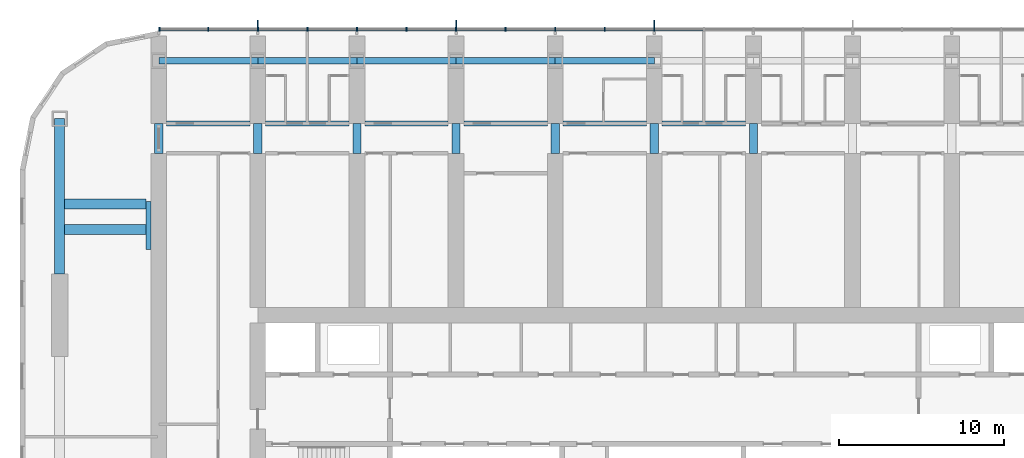
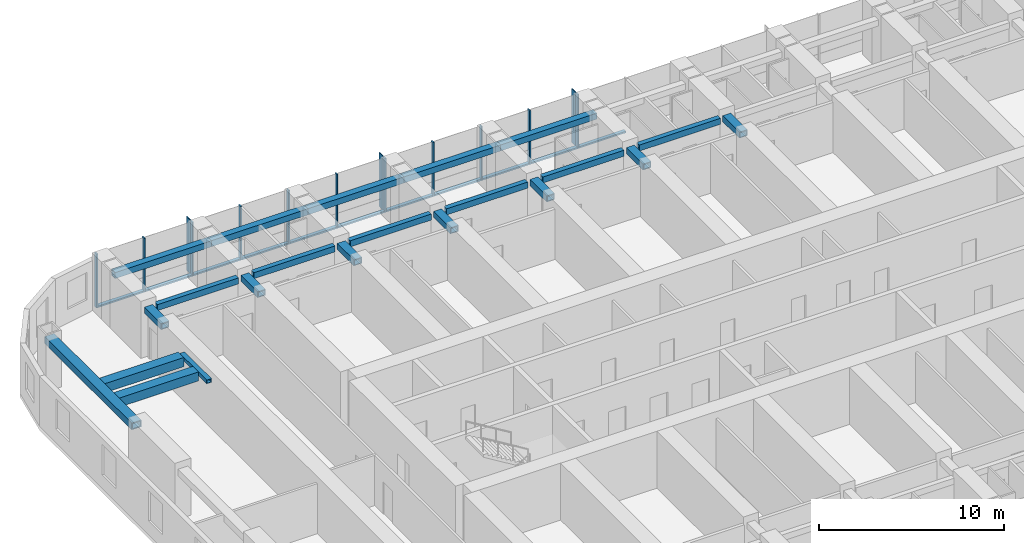
# One storey, part 4 of 21: 25 members, 22 beams, 1 element without a shape of its own.
"""IFC4 building model written with IfcOpenShell, lengths in metres."""

from ifc_helpers import new_model, si_unit, direction, frame, origin, origin_2d, place, context, subcontext, project, spatial, rectangle, hollow_rectangle, extrude, material, material_profile, profile_set, type_object, element, aggregate, save


model = new_model("IFC4")

# Units and contexts
model_context = context("Model", 3, precision=1e-05, world=origin(), true_north=direction((0.0, 1.0)))
body_context = subcontext(model_context, "Body", "Model", "MODEL_VIEW")
ifc_project = project(units=[si_unit("LENGTHUNIT", "METRE"), si_unit("AREAUNIT", "SQUARE_METRE"), si_unit("VOLUMEUNIT", "CUBIC_METRE"), si_unit("PLANEANGLEUNIT", "RADIAN"), si_unit("MASSUNIT", "GRAM", prefix="KILO")], contexts=[model_context])

# Site, building, storey
site_placement = place(None, origin())
site = spatial("IfcSite", under=ifc_project, at=site_placement, CompositionType="ELEMENT")
building_placement = place(site_placement, origin())
building = spatial("IfcBuilding", under=site, at=building_placement, Name="Orbita Commons", CompositionType="ELEMENT")
storey_placement = place(building_placement, frame((0.0, 0.0, 110.64990234375)))
storey = spatial("IfcBuildingStorey", under=building, at=storey_placement, Name="L27", CompositionType="ELEMENT", Elevation=110.64990234375)

# Curtain wall, members
ifc_material_1 = material(Name="Anodised aluminium frame, pale silver", Category="aluminium")
curtain_wall_type = type_object("IfcCurtainWallType", Name="Unitised curtain wall CW-T, vision and spandrel", PredefinedType="NOTDEFINED", material=ifc_material_1)
curtain_wall_placement = place(storey_placement, origin())
curtain_wall = element("IfcCurtainWall", 1, at=curtain_wall_placement, inside=storey, type_object=curtain_wall_type, Name="Curtain wall north L27", PredefinedType="NOTDEFINED")
ifc_material_2 = material(Name="Anodised aluminium, pale silver", Category="aluminium")
ifc_material_profile_1 = material_profile(ifc_material_2, rectangle(XDim=0.080078125, YDim=0.219970703125, at=origin_2d()), Name="AL 80x220")
ifc_profile_set_1 = profile_set([ifc_material_profile_1], Name="Anodised aluminium, pale silver")
member_type_1 = type_object("IfcMemberType", Name="Curtain wall mullion 80x220", PredefinedType="MULLION", material=ifc_profile_set_1)
member_1_placement = place(storey_placement, frame((42.0, 55.510009765625, -0.25), z_axis=(0.0, 0.0, 1.0), x_axis=(-1.0, 0.0, 0.0)))
member_1 = element("IfcMember", 2, at=member_1_placement, type_object=member_type_1, Name="Mullion 9 CW-L27-N", PredefinedType="MULLION", context=body_context, shape_type="SweptSolid", body=[
    extrude(rectangle(XDim=0.080078125, YDim=0.219970703125, at=origin_2d()), origin(), (0.0, 0.0, 1.0), 3.550048828125),
])
member_2_placement = place(storey_placement, frame((39.0, 55.510009765625, -0.25), z_axis=(0.0, 0.0, 1.0), x_axis=(-1.0, 0.0, 0.0)))
member_2 = element("IfcMember", 3, at=member_2_placement, type_object=member_type_1, Name="Mullion 10 CW-L27-N", PredefinedType="MULLION", context=body_context, shape_type="SweptSolid", body=[
    extrude(rectangle(XDim=0.080078125, YDim=0.219970703125, at=origin_2d()), origin(), (0.0, 0.0, 1.0), 3.550048828125),
])
member_3_placement = place(storey_placement, frame((36.0, 55.510009765625, -0.25), z_axis=(0.0, 0.0, 1.0), x_axis=(-1.0, 0.0, 0.0)))
member_3 = element("IfcMember", 4, at=member_3_placement, type_object=member_type_1, Name="Mullion 11 CW-L27-N", PredefinedType="MULLION", context=body_context, shape_type="SweptSolid", body=[
    extrude(rectangle(XDim=0.080078125, YDim=0.219970703125, at=origin_2d()), origin(), (0.0, 0.0, 1.0), 3.550048828125),
])
member_4_placement = place(storey_placement, frame((33.0, 55.510009765625, -0.25), z_axis=(0.0, 0.0, 1.0), x_axis=(-1.0, 0.0, 0.0)))
member_4 = element("IfcMember", 5, at=member_4_placement, type_object=member_type_1, Name="Mullion 12 CW-L27-N", PredefinedType="MULLION", context=body_context, shape_type="SweptSolid", body=[
    extrude(rectangle(XDim=0.080078125, YDim=0.219970703125, at=origin_2d()), origin(), (0.0, 0.0, 1.0), 3.550048828125),
])
member_5_placement = place(storey_placement, frame((30.0, 55.510009765625, -0.25), z_axis=(0.0, 0.0, 1.0), x_axis=(-1.0, 0.0, 0.0)))
member_5 = element("IfcMember", 6, at=member_5_placement, type_object=member_type_1, Name="Mullion 13 CW-L27-N", PredefinedType="MULLION", context=body_context, shape_type="SweptSolid", body=[
    extrude(rectangle(XDim=0.080078125, YDim=0.219970703125, at=origin_2d()), origin(), (0.0, 0.0, 1.0), 3.550048828125),
])
member_6_placement = place(storey_placement, frame((27.0, 55.510009765625, -0.25), z_axis=(0.0, 0.0, 1.0), x_axis=(-1.0, 0.0, 0.0)))
member_6 = element("IfcMember", 7, at=member_6_placement, type_object=member_type_1, Name="Mullion 14 CW-L27-N", PredefinedType="MULLION", context=body_context, shape_type="SweptSolid", body=[
    extrude(rectangle(XDim=0.080078125, YDim=0.219970703125, at=origin_2d()), origin(), (0.0, 0.0, 1.0), 3.550048828125),
])
member_7_placement = place(storey_placement, frame((24.0, 55.510009765625, -0.25), z_axis=(0.0, 0.0, 1.0), x_axis=(-1.0, 0.0, 0.0)))
member_7 = element("IfcMember", 8, at=member_7_placement, type_object=member_type_1, Name="Mullion 15 CW-L27-N", PredefinedType="MULLION", context=body_context, shape_type="SweptSolid", body=[
    extrude(rectangle(XDim=0.080078125, YDim=0.219970703125, at=origin_2d()), origin(), (0.0, 0.0, 1.0), 3.550048828125),
])
member_8_placement = place(storey_placement, frame((21.0, 55.510009765625, -0.25), z_axis=(0.0, 0.0, 1.0), x_axis=(-1.0, 0.0, 0.0)))
member_8 = element("IfcMember", 9, at=member_8_placement, type_object=member_type_1, Name="Mullion 16 CW-L27-N", PredefinedType="MULLION", context=body_context, shape_type="SweptSolid", body=[
    extrude(rectangle(XDim=0.080078125, YDim=0.219970703125, at=origin_2d()), origin(), (0.0, 0.0, 1.0), 3.550048828125),
])
member_9_placement = place(storey_placement, frame((18.0, 55.510009765625, -0.25), z_axis=(0.0, 0.0, 1.0), x_axis=(-1.0, 0.0, 0.0)))
member_9 = element("IfcMember", 10, at=member_9_placement, type_object=member_type_1, Name="Mullion 17 CW-L27-N", PredefinedType="MULLION", context=body_context, shape_type="SweptSolid", body=[
    extrude(rectangle(XDim=0.080078125, YDim=0.219970703125, at=origin_2d()), origin(), (0.0, 0.0, 1.0), 3.550048828125),
])
member_10_placement = place(storey_placement, frame((15.0, 55.510009765625, -0.25), z_axis=(0.0, 0.0, 1.0), x_axis=(-1.0, 0.0, 0.0)))
member_10 = element("IfcMember", 11, at=member_10_placement, type_object=member_type_1, Name="Mullion 18 CW-L27-N", PredefinedType="MULLION", context=body_context, shape_type="SweptSolid", body=[
    extrude(rectangle(XDim=0.080078125, YDim=0.219970703125, at=origin_2d()), origin(), (0.0, 0.0, 1.0), 3.550048828125),
])
member_11_placement = place(storey_placement, frame((12.0400390625, 55.510009765625, -0.25), z_axis=(0.0, 0.0, 1.0), x_axis=(-1.0, 0.0, 0.0)))
member_11 = element("IfcMember", 12, at=member_11_placement, type_object=member_type_1, Name="Mullion 19 CW-L27-N", PredefinedType="MULLION", context=body_context, shape_type="SweptSolid", body=[
    extrude(rectangle(XDim=0.080078125, YDim=0.219970703125, at=origin_2d()), origin(), (0.0, 0.0, 1.0), 3.550048828125),
])
ifc_material_3 = material(Name="Anodised aluminium, pale silver", Category="aluminium")
ifc_material_profile_2 = material_profile(ifc_material_3, rectangle(XDim=0.219970703125, YDim=0.10009765625, at=origin_2d()), Name="AL 220x100")
ifc_profile_set_2 = profile_set([ifc_material_profile_2], Name="Anodised aluminium, pale silver")
member_type_2 = type_object("IfcMemberType", Name="Curtain wall stack transom 220x100", PredefinedType="USERDEFINED", material=ifc_profile_set_2)
member_12_placement = place(storey_placement, frame((44.9599609375, 55.510009765625, -0.199951171875), z_axis=(-1.0, 0.0, 0.0), x_axis=(0.0, -1.0, 0.0)))
member_12 = element("IfcMember", 13, at=member_12_placement, type_object=member_type_2, Name="Transom 8.1 CW-L27-N", ObjectType="TRANSOM", PredefinedType="USERDEFINED", context=body_context, shape_type="SweptSolid", body=[
    extrude(rectangle(XDim=0.219970703125, YDim=0.10009765625, at=origin_2d()), origin(), (0.0, 0.0, 1.0), 2.919921875),
])
member_13_placement = place(storey_placement, frame((41.9599609375, 55.510009765625, -0.199951171875), z_axis=(-1.0, 0.0, 0.0), x_axis=(0.0, -1.0, 0.0)))
member_13 = element("IfcMember", 14, at=member_13_placement, type_object=member_type_2, Name="Transom 9.1 CW-L27-N", ObjectType="TRANSOM", PredefinedType="USERDEFINED", context=body_context, shape_type="SweptSolid", body=[
    extrude(rectangle(XDim=0.219970703125, YDim=0.10009765625, at=origin_2d()), origin(), (0.0, 0.0, 1.0), 2.919921875),
])
member_14_placement = place(storey_placement, frame((38.9599609375, 55.510009765625, -0.199951171875), z_axis=(-1.0, 0.0, 0.0), x_axis=(0.0, -1.0, 0.0)))
member_14 = element("IfcMember", 15, at=member_14_placement, type_object=member_type_2, Name="Transom 10.1 CW-L27-N", ObjectType="TRANSOM", PredefinedType="USERDEFINED", context=body_context, shape_type="SweptSolid", body=[
    extrude(rectangle(XDim=0.219970703125, YDim=0.10009765625, at=origin_2d()), origin(), (0.0, 0.0, 1.0), 2.919921875),
])
member_15_placement = place(storey_placement, frame((35.9599609375, 55.510009765625, -0.199951171875), z_axis=(-1.0, 0.0, 0.0), x_axis=(0.0, -1.0, 0.0)))
member_15 = element("IfcMember", 16, at=member_15_placement, type_object=member_type_2, Name="Transom 11.1 CW-L27-N", ObjectType="TRANSOM", PredefinedType="USERDEFINED", context=body_context, shape_type="SweptSolid", body=[
    extrude(rectangle(XDim=0.219970703125, YDim=0.10009765625, at=origin_2d()), origin(), (0.0, 0.0, 1.0), 2.919921875),
])
member_16_placement = place(storey_placement, frame((32.9599609375, 55.510009765625, -0.199951171875), z_axis=(-1.0, 0.0, 0.0), x_axis=(0.0, -1.0, 0.0)))
member_16 = element("IfcMember", 17, at=member_16_placement, type_object=member_type_2, Name="Transom 12.1 CW-L27-N", ObjectType="TRANSOM", PredefinedType="USERDEFINED", context=body_context, shape_type="SweptSolid", body=[
    extrude(rectangle(XDim=0.219970703125, YDim=0.10009765625, at=origin_2d()), origin(), (0.0, 0.0, 1.0), 2.919921875),
])
member_17_placement = place(storey_placement, frame((29.9599609375, 55.510009765625, -0.199951171875), z_axis=(-1.0, 0.0, 0.0), x_axis=(0.0, -1.0, 0.0)))
member_17 = element("IfcMember", 18, at=member_17_placement, type_object=member_type_2, Name="Transom 13.1 CW-L27-N", ObjectType="TRANSOM", PredefinedType="USERDEFINED", context=body_context, shape_type="SweptSolid", body=[
    extrude(rectangle(XDim=0.219970703125, YDim=0.10009765625, at=origin_2d()), origin(), (0.0, 0.0, 1.0), 2.919921875),
])
member_18_placement = place(storey_placement, frame((26.9599609375, 55.510009765625, -0.199951171875), z_axis=(-1.0, 0.0, 0.0), x_axis=(0.0, -1.0, 0.0)))
member_18 = element("IfcMember", 19, at=member_18_placement, type_object=member_type_2, Name="Transom 14.1 CW-L27-N", ObjectType="TRANSOM", PredefinedType="USERDEFINED", context=body_context, shape_type="SweptSolid", body=[
    extrude(rectangle(XDim=0.219970703125, YDim=0.10009765625, at=origin_2d()), origin(), (0.0, 0.0, 1.0), 2.919921875),
])
member_19_placement = place(storey_placement, frame((23.9599609375, 55.510009765625, -0.199951171875), z_axis=(-1.0, 0.0, 0.0), x_axis=(0.0, -1.0, 0.0)))
member_19 = element("IfcMember", 20, at=member_19_placement, type_object=member_type_2, Name="Transom 15.1 CW-L27-N", ObjectType="TRANSOM", PredefinedType="USERDEFINED", context=body_context, shape_type="SweptSolid", body=[
    extrude(rectangle(XDim=0.219970703125, YDim=0.10009765625, at=origin_2d()), origin(), (0.0, 0.0, 1.0), 2.919921875),
])
member_20_placement = place(storey_placement, frame((20.9599609375, 55.510009765625, -0.199951171875), z_axis=(-1.0, 0.0, 0.0), x_axis=(0.0, -1.0, 0.0)))
member_20 = element("IfcMember", 21, at=member_20_placement, type_object=member_type_2, Name="Transom 16.1 CW-L27-N", ObjectType="TRANSOM", PredefinedType="USERDEFINED", context=body_context, shape_type="SweptSolid", body=[
    extrude(rectangle(XDim=0.219970703125, YDim=0.10009765625, at=origin_2d()), origin(), (0.0, 0.0, 1.0), 2.919921875),
])
member_21_placement = place(storey_placement, frame((17.9599609375, 55.510009765625, -0.199951171875), z_axis=(-1.0, 0.0, 0.0), x_axis=(0.0, -1.0, 0.0)))
member_21 = element("IfcMember", 22, at=member_21_placement, type_object=member_type_2, Name="Transom 17.1 CW-L27-N", ObjectType="TRANSOM", PredefinedType="USERDEFINED", context=body_context, shape_type="SweptSolid", body=[
    extrude(rectangle(XDim=0.219970703125, YDim=0.10009765625, at=origin_2d()), origin(), (0.0, 0.0, 1.0), 2.919921875),
])
member_22_placement = place(storey_placement, frame((14.9599609375, 55.510009765625, -0.199951171875), z_axis=(-1.0, 0.0, 0.0), x_axis=(0.0, -1.0, 0.0)))
member_22 = element("IfcMember", 23, at=member_22_placement, type_object=member_type_2, Name="Transom 18.1 CW-L27-N", ObjectType="TRANSOM", PredefinedType="USERDEFINED", context=body_context, shape_type="SweptSolid", body=[
    extrude(rectangle(XDim=0.219970703125, YDim=0.10009765625, at=origin_2d()), origin(), (0.0, 0.0, 1.0), 2.8798828125),
])

# Beams
ifc_material_4 = material(Name="Steel ASTM A572 Gr 50 welded plate", Category="steel")
ifc_material_profile_3 = material_profile(ifc_material_4, hollow_rectangle(XDim=0.60009765625, YDim=0.60009765625, WallThickness=0.06005859375, at=origin_2d()), Name="BOX 600x600x60")
ifc_profile_set_3 = profile_set([ifc_material_profile_3], Name="Steel ASTM A572 Gr 50 welded plate")
beam_type_1 = type_object("IfcBeamType", Name="Stair trimmer beam BOX 600x600x60", PredefinedType="BEAM", material=ifc_profile_set_3)
for number, where, z_axis, x_axis, name in (
    (24, (6.300048828125, 43.375, 3.0), (1.0, 0.0, 0.0), (0.0, 1.0, 0.0), "Neighbourhood stair L28 to L29 transfer beam 1"),
    (25, (6.300048828125, 44.93505859375, 3.0), (1.0, 0.0, 0.0), (0.0, 1.0, 0.0), "Neighbourhood stair L28 to L29 transfer beam 2"),
):
    element("IfcBeam", number, at=place(storey_placement, frame(where, z_axis=z_axis, x_axis=x_axis)), inside=storey, type_object=beam_type_1, Name=name, PredefinedType="BEAM", context=body_context, shape_type="SweptSolid", body=[
        extrude(hollow_rectangle(XDim=0.60009765625, YDim=0.60009765625, WallThickness=0.06005859375, at=origin_2d()), origin(), (0.0, 0.0, 1.0), 4.925048828125),
    ])
ifc_material_5 = material(Name="Steel ASTM A572 Gr 50 welded plate", Category="steel")
ifc_material_profile_4 = material_profile(ifc_material_5, hollow_rectangle(XDim=0.300048828125, YDim=0.39990234375, WallThickness=0.0400390625, at=origin_2d()), Name="BOX 400x300x40")
ifc_profile_set_4 = profile_set([ifc_material_profile_4], Name="Steel ASTM A572 Gr 50 welded plate")
beam_type_2 = type_object("IfcBeamType", Name="Steel corridor link BOX 400x300x40", PredefinedType="BEAM", material=ifc_profile_set_4)
for number, where, z_axis, x_axis, name in (
    (26, (12.47509765625, 49.800048828125, 3.10009765625), (1.0, 0.0, 0.0), (0.0, 1.0, 0.0), "Corridor beam NB 3-4 L27"),
    (27, (18.47509765625, 49.800048828125, 3.10009765625), (1.0, 0.0, 0.0), (0.0, 1.0, 0.0), "Corridor beam NB 4-5 L27"),
    (28, (24.47509765625, 49.800048828125, 3.10009765625), (1.0, 0.0, 0.0), (0.0, 1.0, 0.0), "Corridor beam NB 5-6 L27"),
    (29, (30.47509765625, 49.800048828125, 3.10009765625), (1.0, 0.0, 0.0), (0.0, 1.0, 0.0), "Corridor beam NB 6-7 L27"),
    (30, (36.47509765625, 49.800048828125, 3.10009765625), (1.0, 0.0, 0.0), (0.0, 1.0, 0.0), "Corridor beam NB 7-8 L27"),
    (31, (42.47509765625, 49.800048828125, 3.10009765625), (1.0, 0.0, 0.0), (0.0, 1.0, 0.0), "Corridor beam NB 8-9 L27"),
):
    element("IfcBeam", number, at=place(storey_placement, frame(where, z_axis=z_axis, x_axis=x_axis)), inside=storey, type_object=beam_type_2, Name=name, PredefinedType="BEAM", context=body_context, shape_type="SweptSolid", body=[
        extrude(hollow_rectangle(XDim=0.300048828125, YDim=0.39990234375, WallThickness=0.0400390625, at=origin_2d()), origin(), (0.0, 0.0, 1.0), 5.0498046875),
    ])
ifc_material_6 = material(Name="Steel ASTM A572 Gr 50 welded plate", Category="steel")
ifc_material_profile_5 = material_profile(ifc_material_6, hollow_rectangle(XDim=0.5, YDim=0.39990234375, WallThickness=0.050048828125, at=origin_2d()), Name="BOX 400x500x50")
ifc_profile_set_5 = profile_set([ifc_material_profile_5], Name="Steel ASTM A572 Gr 50 welded plate")
beam_type_3 = type_object("IfcBeamType", Name="Steel coupling link BOX 400x500x50", PredefinedType="LINTEL", material=ifc_profile_set_5)
for number, where, z_axis, x_axis, name in (
    (32, (12.0, 48.0, 3.10009765625), (0.0, 1.0, 0.0), (-1.0, 0.0, 0.0), "Coupling beam 3 north L27"),
    (33, (18.0, 48.0, 3.10009765625), (0.0, 1.0, 0.0), (-1.0, 0.0, 0.0), "Coupling beam 4 north L27"),
    (34, (24.0, 48.0, 3.10009765625), (0.0, 1.0, 0.0), (-1.0, 0.0, 0.0), "Coupling beam 5 north L27"),
    (35, (30.0, 48.0, 3.10009765625), (0.0, 1.0, 0.0), (-1.0, 0.0, 0.0), "Coupling beam 6 north L27"),
    (36, (36.0, 48.0, 3.10009765625), (0.0, 1.0, 0.0), (-1.0, 0.0, 0.0), "Coupling beam 7 north L27"),
    (37, (42.0, 48.0, 3.10009765625), (0.0, 1.0, 0.0), (-1.0, 0.0, 0.0), "Coupling beam 8 north L27"),
    (38, (48.0, 48.0, 3.10009765625), (0.0, 1.0, 0.0), (-1.0, 0.0, 0.0), "Coupling beam 9 north L27"),
):
    element("IfcBeam", number, at=place(storey_placement, frame(where, z_axis=z_axis, x_axis=x_axis)), inside=storey, type_object=beam_type_3, Name=name, PredefinedType="LINTEL", context=body_context, shape_type="SweptSolid", body=[
        extrude(hollow_rectangle(XDim=0.5, YDim=0.39990234375, WallThickness=0.050048828125, at=origin_2d()), origin(), (0.0, 0.0, 1.0), 1.800048828125),
    ])
ifc_material_7 = material(Name="Steel ASTM A572 Gr 50 welded plate", Category="steel")
ifc_material_profile_6 = material_profile(ifc_material_7, hollow_rectangle(XDim=0.60009765625, YDim=0.449951171875, WallThickness=0.06005859375, at=origin_2d()), Name="BOX 450x600x60")
ifc_profile_set_6 = profile_set([ifc_material_profile_6], Name="Steel ASTM A572 Gr 50 welded plate")
beam_type_4 = type_object("IfcBeamType", Name="Steel end frame link BOX 450x600x60", PredefinedType="BEAM", material=ifc_profile_set_6)
beam_1_placement = place(storey_placement, frame((6.0, 40.699951171875, 3.0751953125), z_axis=(0.0, 1.0, 0.0), x_axis=(-1.0, 0.0, 0.0)))
element("IfcBeam", 39, at=beam_1_placement, inside=storey, type_object=beam_type_4, Name="End frame beam 2 D-E L27", PredefinedType="BEAM", context=body_context, shape_type="SweptSolid", body=[
    extrude(hollow_rectangle(XDim=0.60009765625, YDim=0.449951171875, WallThickness=0.06005859375, at=origin_2d()), origin(), (0.0, 0.0, 1.0), 9.400146484375),
])
ifc_material_8 = material(Name="Steel ASTM A572 Gr 50 welded plate", Category="steel")
ifc_material_profile_7 = material_profile(ifc_material_8, hollow_rectangle(XDim=0.39990234375, YDim=0.39990234375, WallThickness=0.0400390625, at=origin_2d()), Name="BOX 400x400x40")
ifc_profile_set_7 = profile_set([ifc_material_profile_7], Name="Steel ASTM A572 Gr 50 welded plate")
beam_type_5 = type_object("IfcBeamType", Name="Steel spandrel BOX 400x400x40", PredefinedType="SPANDREL", material=ifc_profile_set_7)
for number, where, z_axis, x_axis, name in (
    (40, (12.0, 53.60009765625, 3.10009765625), (1.0, 0.0, 0.0), (0.0, 1.0, 0.0), "Spandrel beam E 3-4 L27"),
    (41, (18.0, 53.60009765625, 3.10009765625), (1.0, 0.0, 0.0), (0.0, 1.0, 0.0), "Spandrel beam E 4-5 L27"),
    (42, (24.0, 53.60009765625, 3.10009765625), (1.0, 0.0, 0.0), (0.0, 1.0, 0.0), "Spandrel beam E 5-6 L27"),
    (43, (30.0, 53.60009765625, 3.10009765625), (1.0, 0.0, 0.0), (0.0, 1.0, 0.0), "Spandrel beam E 6-7 L27"),
    (44, (36.0, 53.60009765625, 3.10009765625), (1.0, 0.0, 0.0), (0.0, 1.0, 0.0), "Spandrel beam E 7-8 L27"),
):
    element("IfcBeam", number, at=place(storey_placement, frame(where, z_axis=z_axis, x_axis=x_axis)), inside=storey, type_object=beam_type_5, Name=name, PredefinedType="SPANDREL", context=body_context, shape_type="SweptSolid", body=[
        extrude(hollow_rectangle(XDim=0.39990234375, YDim=0.39990234375, WallThickness=0.0400390625, at=origin_2d()), origin(), (0.0, 0.0, 1.0), 6.0),
    ])
ifc_material_9 = material(Name="Steel ASTM A572 Gr 50 welded plate", Category="steel")
ifc_material_profile_8 = material_profile(ifc_material_9, hollow_rectangle(XDim=0.300048828125, YDim=0.25, WallThickness=0.02490234375, at=origin_2d()), Name="BOX 250x300x25")
ifc_profile_set_8 = profile_set([ifc_material_profile_8], Name="Steel ASTM A572 Gr 50 welded plate")
beam_type_6 = type_object("IfcBeamType", Name="Trimmer ledger beam BOX 250x300x25", PredefinedType="BEAM", material=ifc_profile_set_8)
beam_2_placement = place(storey_placement, frame((11.375, 42.181884765625, 3.175048828125), z_axis=(0.0, 1.0, 0.0), x_axis=(-1.0, 0.0, 0.0)))
element("IfcBeam", 45, at=beam_2_placement, inside=storey, type_object=beam_type_6, Name="Neighbourhood stair L28 to L29 trimmer ledger 1E", PredefinedType="BEAM", context=body_context, shape_type="SweptSolid", body=[
    extrude(hollow_rectangle(XDim=0.300048828125, YDim=0.25, WallThickness=0.02490234375, at=origin_2d()), origin(), (0.0, 0.0, 1.0), 2.908935546875),
])

# Member
ifc_material_10 = material(Name="Anodised aluminium, pale silver", Category="aluminium")
ifc_material_profile_9 = material_profile(ifc_material_10, rectangle(XDim=0.06005859375, YDim=0.449951171875, at=origin_2d()), Name="FIN 60x450")
ifc_profile_set_9 = profile_set([ifc_material_profile_9], Name="Anodised aluminium, pale silver")
member_type_3 = type_object("IfcMemberType", Name="Vertical fin 60x450 pale aluminium", PredefinedType="USERDEFINED", material=ifc_profile_set_9)
member_23_placement = place(storey_placement, frame((42.0, 55.844970703125, -0.25), z_axis=(0.0, 0.0, 1.0), x_axis=(-1.0, 0.0, 0.0)))
member_23 = element("IfcMember", 46, at=member_23_placement, type_object=member_type_3, Name="Fin 9 CW-L27-N", ObjectType="FIN", PredefinedType="USERDEFINED", context=body_context, shape_type="SweptSolid", body=[
    extrude(rectangle(XDim=0.06005859375, YDim=0.449951171875, at=origin_2d()), origin(), (0.0, 0.0, 1.0), 3.550048828125),
])

member_24_placement = place(storey_placement, frame((30.0, 55.844970703125, -0.25), z_axis=(0.0, 0.0, 1.0), x_axis=(-1.0, 0.0, 0.0)))
member_24 = element("IfcMember", 47, at=member_24_placement, type_object=member_type_3, Name="Fin 13 CW-L27-N", ObjectType="FIN", PredefinedType="USERDEFINED", context=body_context, shape_type="SweptSolid", body=[
    extrude(rectangle(XDim=0.06005859375, YDim=0.449951171875, at=origin_2d()), origin(), (0.0, 0.0, 1.0), 3.550048828125),
])

member_25_placement = place(storey_placement, frame((18.0, 55.844970703125, -0.25), z_axis=(0.0, 0.0, 1.0), x_axis=(-1.0, 0.0, 0.0)))
member_25 = element("IfcMember", 48, at=member_25_placement, type_object=member_type_3, Name="Fin 17 CW-L27-N", ObjectType="FIN", PredefinedType="USERDEFINED", context=body_context, shape_type="SweptSolid", body=[
    extrude(rectangle(XDim=0.06005859375, YDim=0.449951171875, at=origin_2d()), origin(), (0.0, 0.0, 1.0), 3.550048828125),
])

aggregate(curtain_wall, [member_1, member_23, member_2, member_3, member_4, member_5, member_24, member_6, member_7, member_8, member_9, member_25, member_10, member_11, member_12, member_13, member_14, member_15, member_16, member_17, member_18, member_19, member_20, member_21, member_22])

save(model, "model.ifc")
